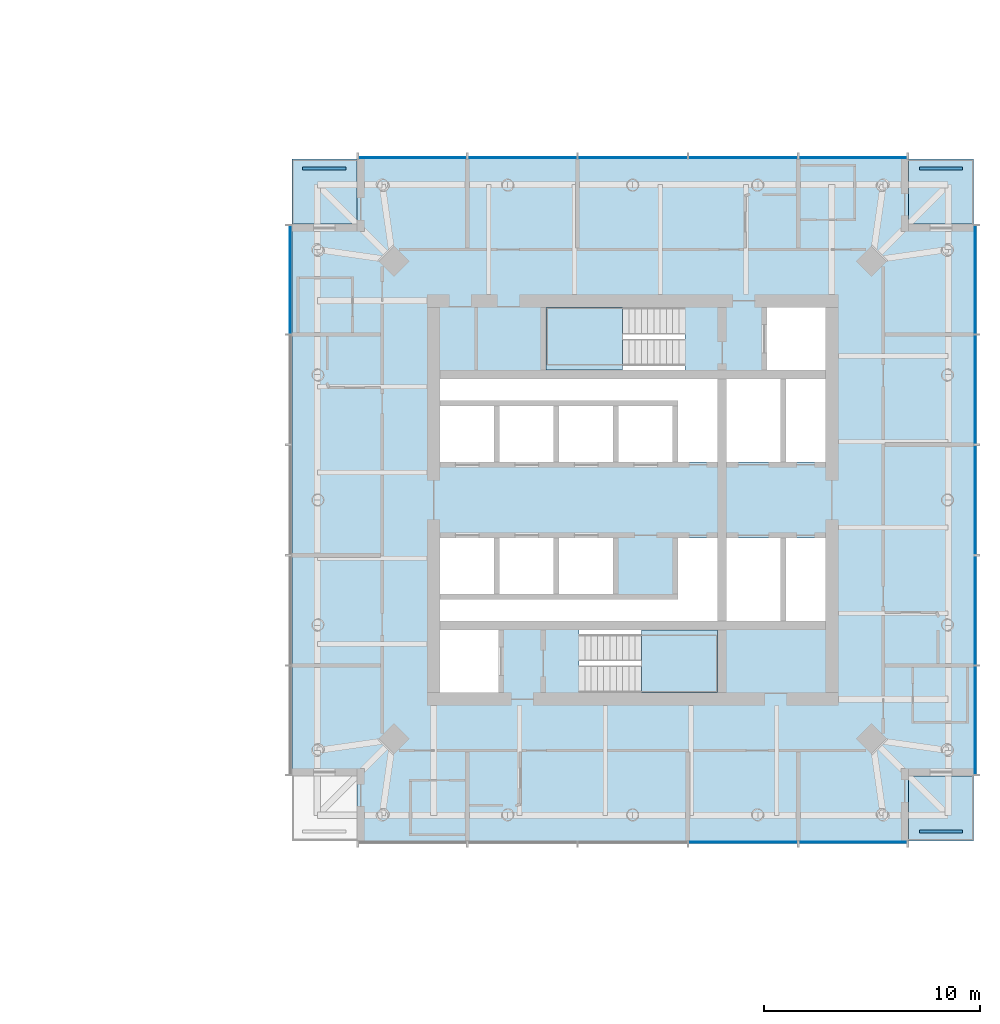
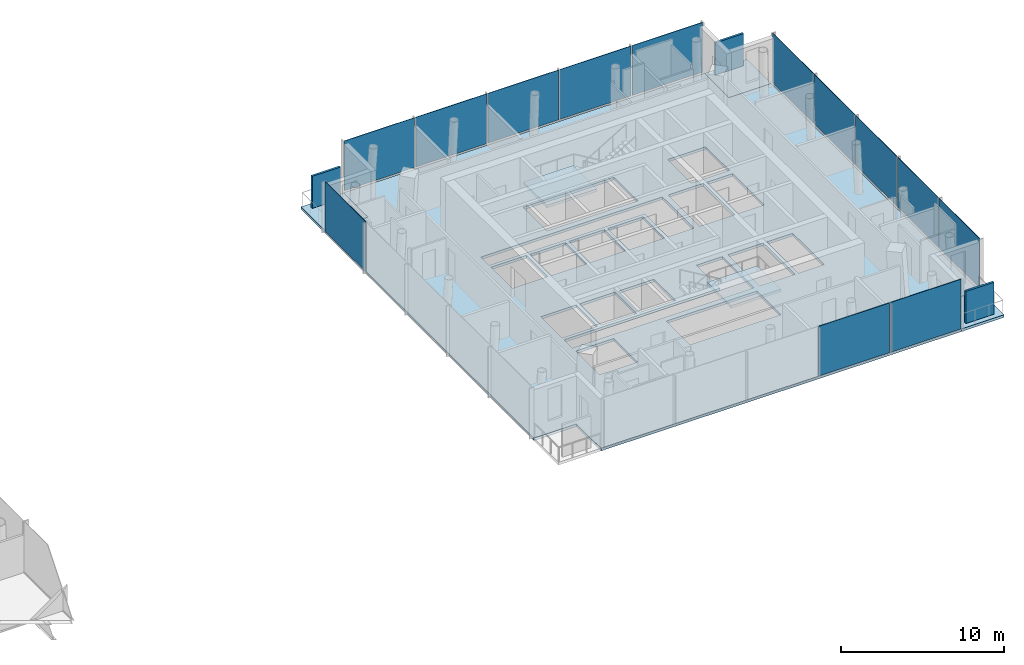
# One storey, part 7 of 18: 16 plates, 6 slabs, 6 elements without a shape of their own.
"""IFC4 building model written with IfcOpenShell, lengths in metres."""

from ifc_helpers import new_model, si_unit, direction, frame, origin, origin_2d, place, context, subcontext, project, spatial, polyline, rectangle, outline, extrude, material, layer, layer_set, type_object, element, aggregate, save


model = new_model("IFC4")

# Units and contexts
model_context = context("Model", 3, precision=1e-05, world=origin(), true_north=direction((0.0, 1.0)))
body_context = subcontext(model_context, "Body", "Model", "MODEL_VIEW")
ifc_project = project(units=[si_unit("LENGTHUNIT", "METRE"), si_unit("AREAUNIT", "SQUARE_METRE"), si_unit("VOLUMEUNIT", "CUBIC_METRE"), si_unit("PLANEANGLEUNIT", "RADIAN"), si_unit("MASSUNIT", "GRAM", prefix="KILO")], contexts=[model_context])

# Site, building, storey
site_placement = place(None, origin())
site = spatial("IfcSite", under=ifc_project, at=site_placement, CompositionType="ELEMENT")
building_placement = place(site_placement, origin())
building = spatial("IfcBuilding", under=site, at=building_placement, Name="Ostroluk Exchange", CompositionType="ELEMENT")
storey_placement = place(building_placement, frame((0.0, 0.0, 123.60009765625)))
storey = spatial("IfcBuildingStorey", under=building, at=storey_placement, Name="L31", CompositionType="ELEMENT", Elevation=123.60009765625)

# Curtain wall, plates
ifc_material_1 = material(Name="Laminated clear glass", Category="glass")
curtain_wall_type = type_object("IfcCurtainWallType", Name="Hotel guest floor facade", PredefinedType="USERDEFINED", material=ifc_material_1)
curtain_wall_1_placement = place(storey_placement, origin())
curtain_wall_1 = element("IfcCurtainWall", 1, at=curtain_wall_1_placement, inside=storey, type_object=curtain_wall_type, Name="Hotel tower south facade L31", ObjectType="UNITISED CURTAIN WALL", PredefinedType="USERDEFINED")
ifc_material_2 = material(Name="Laminated clear glass", Category="glass")
ifc_layer_1 = layer(ifc_material_2, 0.0400390625)
ifc_layer_set_1 = layer_set([ifc_layer_1], Name="Acoustic laminated glazing 40")
plate_type_1 = type_object("IfcPlateType", Name="Acoustic laminated glazing 40", PredefinedType="CURTAIN_PANEL", material=ifc_layer_set_1)
plate_1_placement = place(storey_placement, frame((122.10009765625, 30.175048828125, 0.080078125), z_axis=(0.0, 0.0, 1.0), x_axis=(1.0, 0.0, 0.0)))
plate_1 = element("IfcPlate", 2, at=plate_1_placement, type_object=plate_type_1, Name="CW-H1 panel 4.1", PredefinedType="CURTAIN_PANEL", context=body_context, shape_type="SweptSolid", body=[
    extrude(rectangle(XDim=5.02001953125, YDim=0.0400390625, at=origin_2d()), origin(), (0.0, 0.0, 1.0), 3.719970703125),
])
plate_2_placement = place(storey_placement, frame((127.179931640625, 30.175048828125, 0.080078125), z_axis=(0.0, 0.0, 1.0), x_axis=(1.0, 0.0, 0.0)))
plate_2 = element("IfcPlate", 3, at=plate_2_placement, type_object=plate_type_1, Name="CW-H1 panel 5.1", PredefinedType="CURTAIN_PANEL", context=body_context, shape_type="SweptSolid", body=[
    extrude(rectangle(XDim=4.97998046875, YDim=0.0400390625, at=origin_2d()), origin(), (0.0, 0.0, 1.0), 3.719970703125),
])
aggregate(curtain_wall_1, [plate_1, plate_2])

curtain_wall_2_placement = place(storey_placement, origin())
curtain_wall_2 = element("IfcCurtainWall", 4, at=curtain_wall_2_placement, inside=storey, type_object=curtain_wall_type, Name="Hotel tower east facade L31", ObjectType="UNITISED CURTAIN WALL", PredefinedType="USERDEFINED")
plate_3_placement = place(storey_placement, frame((132.824951171875, 35.820068359375, 0.080078125), z_axis=(0.0, 0.0, 1.0), x_axis=(0.0, 1.0, 0.0)))
plate_3 = element("IfcPlate", 5, at=plate_3_placement, type_object=plate_type_1, Name="CW-H1 panel 1.1", PredefinedType="CURTAIN_PANEL", context=body_context, shape_type="SweptSolid", body=[
    extrude(rectangle(XDim=4.97998046875, YDim=0.0400390625, at=origin_2d()), origin(), (0.0, 0.0, 1.0), 3.719970703125),
])
plate_4_placement = place(storey_placement, frame((132.824951171875, 40.89990234375, 0.080078125), z_axis=(0.0, 0.0, 1.0), x_axis=(0.0, 1.0, 0.0)))
plate_4 = element("IfcPlate", 6, at=plate_4_placement, type_object=plate_type_1, Name="CW-H1 panel 2.1", PredefinedType="CURTAIN_PANEL", context=body_context, shape_type="SweptSolid", body=[
    extrude(rectangle(XDim=5.02001953125, YDim=0.0400390625, at=origin_2d()), origin(), (0.0, 0.0, 1.0), 3.719970703125),
])
plate_5_placement = place(storey_placement, frame((132.824951171875, 46.0, 0.080078125), z_axis=(0.0, 0.0, 1.0), x_axis=(0.0, 1.0, 0.0)))
plate_5 = element("IfcPlate", 7, at=plate_5_placement, type_object=plate_type_1, Name="CW-H1 panel 3.1", PredefinedType="CURTAIN_PANEL", context=body_context, shape_type="SweptSolid", body=[
    extrude(rectangle(XDim=5.02001953125, YDim=0.0400390625, at=origin_2d()), origin(), (0.0, 0.0, 1.0), 3.719970703125),
])
plate_6_placement = place(storey_placement, frame((132.824951171875, 51.10009765625, 0.080078125), z_axis=(0.0, 0.0, 1.0), x_axis=(0.0, 1.0, 0.0)))
plate_6 = element("IfcPlate", 8, at=plate_6_placement, type_object=plate_type_1, Name="CW-H1 panel 4.1", PredefinedType="CURTAIN_PANEL", context=body_context, shape_type="SweptSolid", body=[
    extrude(rectangle(XDim=5.02001953125, YDim=0.0400390625, at=origin_2d()), origin(), (0.0, 0.0, 1.0), 3.719970703125),
])
plate_7_placement = place(storey_placement, frame((132.824951171875, 56.179931640625, 0.080078125), z_axis=(0.0, 0.0, 1.0), x_axis=(0.0, 1.0, 0.0)))
plate_7 = element("IfcPlate", 9, at=plate_7_placement, type_object=plate_type_1, Name="CW-H1 panel 5.1", PredefinedType="CURTAIN_PANEL", context=body_context, shape_type="SweptSolid", body=[
    extrude(rectangle(XDim=4.97998046875, YDim=0.0400390625, at=origin_2d()), origin(), (0.0, 0.0, 1.0), 3.719970703125),
])
aggregate(curtain_wall_2, [plate_3, plate_4, plate_5, plate_6, plate_7])

curtain_wall_3_placement = place(storey_placement, origin())
curtain_wall_3 = element("IfcCurtainWall", 10, at=curtain_wall_3_placement, inside=storey, type_object=curtain_wall_type, Name="Hotel tower north facade L31", ObjectType="UNITISED CURTAIN WALL", PredefinedType="USERDEFINED")
plate_8_placement = place(storey_placement, frame((127.179931640625, 61.824951171875, 0.080078125), z_axis=(0.0, 0.0, 1.0), x_axis=(-1.0, 0.0, 0.0)))
plate_8 = element("IfcPlate", 11, at=plate_8_placement, type_object=plate_type_1, Name="CW-H1 panel 1.1", PredefinedType="CURTAIN_PANEL", context=body_context, shape_type="SweptSolid", body=[
    extrude(rectangle(XDim=4.97998046875, YDim=0.0400390625, at=origin_2d()), origin(), (0.0, 0.0, 1.0), 3.719970703125),
])
plate_9_placement = place(storey_placement, frame((122.10009765625, 61.824951171875, 0.080078125), z_axis=(0.0, 0.0, 1.0), x_axis=(-1.0, 0.0, 0.0)))
plate_9 = element("IfcPlate", 12, at=plate_9_placement, type_object=plate_type_1, Name="CW-H1 panel 2.1", PredefinedType="CURTAIN_PANEL", context=body_context, shape_type="SweptSolid", body=[
    extrude(rectangle(XDim=5.02001953125, YDim=0.0400390625, at=origin_2d()), origin(), (0.0, 0.0, 1.0), 3.719970703125),
])
plate_10_placement = place(storey_placement, frame((117.0, 61.824951171875, 0.080078125), z_axis=(0.0, 0.0, 1.0), x_axis=(-1.0, 0.0, 0.0)))
plate_10 = element("IfcPlate", 13, at=plate_10_placement, type_object=plate_type_1, Name="CW-H1 panel 3.1", PredefinedType="CURTAIN_PANEL", context=body_context, shape_type="SweptSolid", body=[
    extrude(rectangle(XDim=5.02001953125, YDim=0.0400390625, at=origin_2d()), origin(), (0.0, 0.0, 1.0), 3.719970703125),
])
plate_11_placement = place(storey_placement, frame((111.89990234375, 61.824951171875, 0.080078125), z_axis=(0.0, 0.0, 1.0), x_axis=(-1.0, 0.0, 0.0)))
plate_11 = element("IfcPlate", 14, at=plate_11_placement, type_object=plate_type_1, Name="CW-H1 panel 4.1", PredefinedType="CURTAIN_PANEL", context=body_context, shape_type="SweptSolid", body=[
    extrude(rectangle(XDim=5.02001953125, YDim=0.0400390625, at=origin_2d()), origin(), (0.0, 0.0, 1.0), 3.719970703125),
])
plate_12_placement = place(storey_placement, frame((106.820068359375, 61.824951171875, 0.080078125), z_axis=(0.0, 0.0, 1.0), x_axis=(-1.0, 0.0, 0.0)))
plate_12 = element("IfcPlate", 15, at=plate_12_placement, type_object=plate_type_1, Name="CW-H1 panel 5.1", PredefinedType="CURTAIN_PANEL", context=body_context, shape_type="SweptSolid", body=[
    extrude(rectangle(XDim=4.97998046875, YDim=0.0400390625, at=origin_2d()), origin(), (0.0, 0.0, 1.0), 3.719970703125),
])
aggregate(curtain_wall_3, [plate_8, plate_9, plate_10, plate_11, plate_12])

# Curtain wall, plate
curtain_wall_4_placement = place(storey_placement, origin())
curtain_wall_4 = element("IfcCurtainWall", 16, at=curtain_wall_4_placement, inside=storey, type_object=curtain_wall_type, Name="Hotel tower west facade L31", ObjectType="UNITISED CURTAIN WALL", PredefinedType="USERDEFINED")
plate_13_placement = place(storey_placement, frame((101.175048828125, 56.179931640625, 0.080078125), z_axis=(0.0, 0.0, 1.0), x_axis=(0.0, -1.0, 0.0)))
plate_13 = element("IfcPlate", 17, at=plate_13_placement, type_object=plate_type_1, Name="CW-H1 panel 1.1", PredefinedType="CURTAIN_PANEL", context=body_context, shape_type="SweptSolid", body=[
    extrude(rectangle(XDim=4.97998046875, YDim=0.0400390625, at=origin_2d()), origin(), (0.0, 0.0, 1.0), 3.719970703125),
])
aggregate(curtain_wall_4, [plate_13])

# Slabs
ifc_material_3 = material(Name="Concrete C35/45", Category="concrete")
ifc_layer_2 = layer(ifc_material_3, 0.199951171875)
ifc_layer_set_2 = layer_set([ifc_layer_2], Name="Balcony slab 200")
slab_type_1 = type_object("IfcSlabType", Name="Balcony slab 200", PredefinedType="USERDEFINED", material=ifc_layer_set_2)
slab_1_placement = place(storey_placement, frame((0.0, 0.0, -0.2001953125)))
element("IfcSlab", 18, at=slab_1_placement, inside=storey, type_object=slab_type_1, Name="Hotel tower SE corner balcony L31", ObjectType="BALCONY", PredefinedType="USERDEFINED", context=body_context, shape_type="SweptSolid", body=[
    extrude(outline(polyline([(129.75, 30.25), (132.75, 30.25), (132.75, 33.25), (129.75, 33.25), (129.75, 30.25)])), origin(), (0.0, 0.0, 1.0), 0.2001953125),
])
slab_2_placement = place(storey_placement, frame((0.0, 0.0, -0.2001953125)))
element("IfcSlab", 19, at=slab_2_placement, inside=storey, type_object=slab_type_1, Name="Hotel tower NE corner balcony L31", ObjectType="BALCONY", PredefinedType="USERDEFINED", context=body_context, shape_type="SweptSolid", body=[
    extrude(outline(polyline([(129.75, 58.75), (132.75, 58.75), (132.75, 61.75), (129.75, 61.75), (129.75, 58.75)])), origin(), (0.0, 0.0, 1.0), 0.2001953125),
])
slab_3_placement = place(storey_placement, frame((0.0, 0.0, -0.2001953125)))
element("IfcSlab", 20, at=slab_3_placement, inside=storey, type_object=slab_type_1, Name="Hotel tower NW corner balcony L31", ObjectType="BALCONY", PredefinedType="USERDEFINED", context=body_context, shape_type="SweptSolid", body=[
    extrude(outline(polyline([(101.25, 58.75), (104.25, 58.75), (104.25, 61.75), (101.25, 61.75), (101.25, 58.75)])), origin(), (0.0, 0.0, 1.0), 0.2001953125),
])

# Plates
ifc_material_4 = material(Name="Steel S355 trellis with planting", Category="steel")
ifc_layer_3 = layer(ifc_material_4, 0.14990234375)
ifc_layer_set_3 = layer_set([ifc_layer_3], Name="Planted screen 150")
plate_type_2 = type_object("IfcPlateType", Name="Planted screen 150", PredefinedType="USERDEFINED", material=ifc_layer_set_3)
for number, where, z_axis, x_axis, name in (
    (21, (131.25, 30.675048828125, 0.0), (0.0, 0.0, 1.0), (1.0, 0.0, 0.0), "Hotel tower SE planted screen L31"),
    (22, (131.25, 61.324951171875, 0.0), (0.0, 0.0, 1.0), (1.0, 0.0, 0.0), "Hotel tower NE planted screen L31"),
    (23, (102.75, 61.324951171875, 0.0), (0.0, 0.0, 1.0), (1.0, 0.0, 0.0), "Hotel tower NW planted screen L31"),
):
    element("IfcPlate", number, at=place(storey_placement, frame(where, z_axis=z_axis, x_axis=x_axis)), inside=storey, type_object=plate_type_2, Name=name, ObjectType="PLANTED SCREEN", PredefinedType="USERDEFINED", context=body_context, shape_type="SweptSolid", body=[
        extrude(rectangle(XDim=2.0, YDim=0.14990234375, at=origin_2d()), origin(), (0.0, 0.0, 1.0), 2.39990234375),
    ])

# Stair, slab
ifc_material_5 = material(Name="Concrete C30/37", Category="concrete")
stair_type = type_object("IfcStairType", Name="Exit stair half turn 3800", PredefinedType="HALF_TURN_STAIR", material=ifc_material_5)
stair_1_placement = place(storey_placement, origin())
stair_1 = element("IfcStair", 24, at=stair_1_placement, inside=storey, type_object=stair_type, Name="Stair T2-S1 L31", PredefinedType="HALF_TURN_STAIR")
ifc_material_6 = material(Name="Concrete C30/37", Category="concrete")
ifc_layer_4 = layer(ifc_material_6, 0.199951171875)
ifc_layer_set_4 = layer_set([ifc_layer_4], Name="Stair landing 200")
slab_type_2 = type_object("IfcSlabType", Name="Stair landing 200", PredefinedType="LANDING", material=ifc_layer_set_4)
slab_4_placement = place(storey_placement, frame((0.0, 0.0, 1.699951171875)))
slab_4 = element("IfcSlab", 25, at=slab_4_placement, type_object=slab_type_2, Name="T2-S1 landing 1", PredefinedType="LANDING", context=body_context, shape_type="SweptSolid", body=[
    extrude(outline(polyline([(117.39990234375, 37.10009765625), (117.39990234375, 40.0), (120.929931640625, 40.0), (120.929931640625, 37.10009765625), (117.39990234375, 37.10009765625)])), origin(), (0.0, 0.0, 1.0), 0.199951171875),
])
aggregate(stair_1, [slab_4])

stair_2_placement = place(storey_placement, origin())
stair_2 = element("IfcStair", 26, at=stair_2_placement, inside=storey, type_object=stair_type, Name="Stair T2-S2 L31", PredefinedType="HALF_TURN_STAIR")
slab_5_placement = place(storey_placement, frame((0.0, 0.0, 1.699951171875)))
slab_5 = element("IfcSlab", 27, at=slab_5_placement, type_object=slab_type_2, Name="T2-S2 landing 1", PredefinedType="LANDING", context=body_context, shape_type="SweptSolid", body=[
    extrude(outline(polyline([(116.530029296875, 52.0), (116.530029296875, 54.89990234375), (113.0, 54.89990234375), (113.0, 52.0), (116.530029296875, 52.0)])), origin(), (0.0, 0.0, 1.0), 0.199951171875),
])
aggregate(stair_2, [slab_5])

# Slab
ifc_material_7 = material(Name="Concrete C35/45", Category="concrete")
ifc_layer_5 = layer(ifc_material_7, 0.199951171875)
ifc_layer_set_5 = layer_set([ifc_layer_5], Name="Tower floor slab 200 composite")
slab_type_3 = type_object("IfcSlabType", Name="Tower floor slab 200 composite", PredefinedType="FLOOR", material=ifc_layer_set_5)
slab_6_placement = place(storey_placement, frame((0.0, 0.0, -0.2001953125)))
element("IfcSlab", 28, at=slab_6_placement, inside=storey, type_object=slab_type_3, Name="Hotel tower floor slab L31", PredefinedType="FLOOR", context=body_context, shape_type="SweptSolid", body=[
    extrude(outline(polyline([(104.25, 30.25), (129.75, 30.25), (129.75, 33.25), (132.75, 33.25), (132.75, 58.75), (129.75, 58.75), (129.75, 61.75), (104.25, 61.75), (104.25, 58.75), (101.25, 58.75), (101.25, 33.25), (104.25, 33.25), (104.25, 30.25)]), holes=[polyline([(108.10009765625, 37.10009765625), (110.800048828125, 37.10009765625), (110.800048828125, 40.0), (108.10009765625, 40.0), (108.10009765625, 37.10009765625)]), polyline([(114.510009765625, 37.10009765625), (120.929931640625, 37.10009765625), (120.929931640625, 40.0), (114.510009765625, 40.0), (114.510009765625, 37.10009765625)]), polyline([(113.0, 52.0), (119.419921875, 52.0), (119.419921875, 54.89990234375), (113.0, 54.89990234375), (113.0, 52.0)]), polyline([(123.199951171875, 52.0), (125.89990234375, 52.0), (125.89990234375, 54.89990234375), (123.199951171875, 54.89990234375), (123.199951171875, 52.0)]), polyline([(108.10009765625, 47.75), (110.60009765625, 47.75), (110.60009765625, 50.35009765625), (108.10009765625, 50.35009765625), (108.10009765625, 47.75)]), polyline([(110.85009765625, 47.75), (113.35009765625, 47.75), (113.35009765625, 50.35009765625), (110.85009765625, 50.35009765625), (110.85009765625, 47.75)]), polyline([(113.60009765625, 47.75), (116.10009765625, 47.75), (116.10009765625, 50.35009765625), (113.60009765625, 50.35009765625), (113.60009765625, 47.75)]), polyline([(116.35009765625, 47.75), (118.85009765625, 47.75), (118.85009765625, 50.35009765625), (116.35009765625, 50.35009765625), (116.35009765625, 47.75)]), polyline([(108.10009765625, 41.64990234375), (110.60009765625, 41.64990234375), (110.60009765625, 44.25), (108.10009765625, 44.25), (108.10009765625, 41.64990234375)]), polyline([(110.85009765625, 41.64990234375), (113.35009765625, 41.64990234375), (113.35009765625, 44.25), (110.85009765625, 44.25), (110.85009765625, 41.64990234375)]), polyline([(113.60009765625, 41.64990234375), (116.10009765625, 41.64990234375), (116.10009765625, 44.25), (113.60009765625, 44.25), (113.60009765625, 41.64990234375)]), polyline([(121.330078125, 47.75), (123.830078125, 47.75), (123.830078125, 51.60009765625), (121.330078125, 51.60009765625), (121.330078125, 47.75)]), polyline([(121.330078125, 40.39990234375), (123.830078125, 40.39990234375), (123.830078125, 44.25), (121.330078125, 44.25), (121.330078125, 40.39990234375)]), polyline([(120.929931640625, 51.60009765625), (120.929931640625, 47.75), (119.10009765625, 47.75), (119.10009765625, 50.60009765625), (108.10009765625, 50.60009765625), (108.10009765625, 51.60009765625), (120.929931640625, 51.60009765625)]), polyline([(108.10009765625, 40.39990234375), (108.10009765625, 41.39990234375), (119.10009765625, 41.39990234375), (119.10009765625, 44.25), (120.929931640625, 44.25), (120.929931640625, 40.39990234375), (108.10009765625, 40.39990234375)]), polyline([(124.080078125, 47.75), (125.89990234375, 47.75), (125.89990234375, 51.60009765625), (124.080078125, 51.60009765625), (124.080078125, 47.75)]), polyline([(124.080078125, 40.39990234375), (125.89990234375, 40.39990234375), (125.89990234375, 44.25), (124.080078125, 44.25), (124.080078125, 40.39990234375)])]), origin(), (0.0, 0.0, 1.0), 0.2001953125),
])

save(model, "model.ifc")
